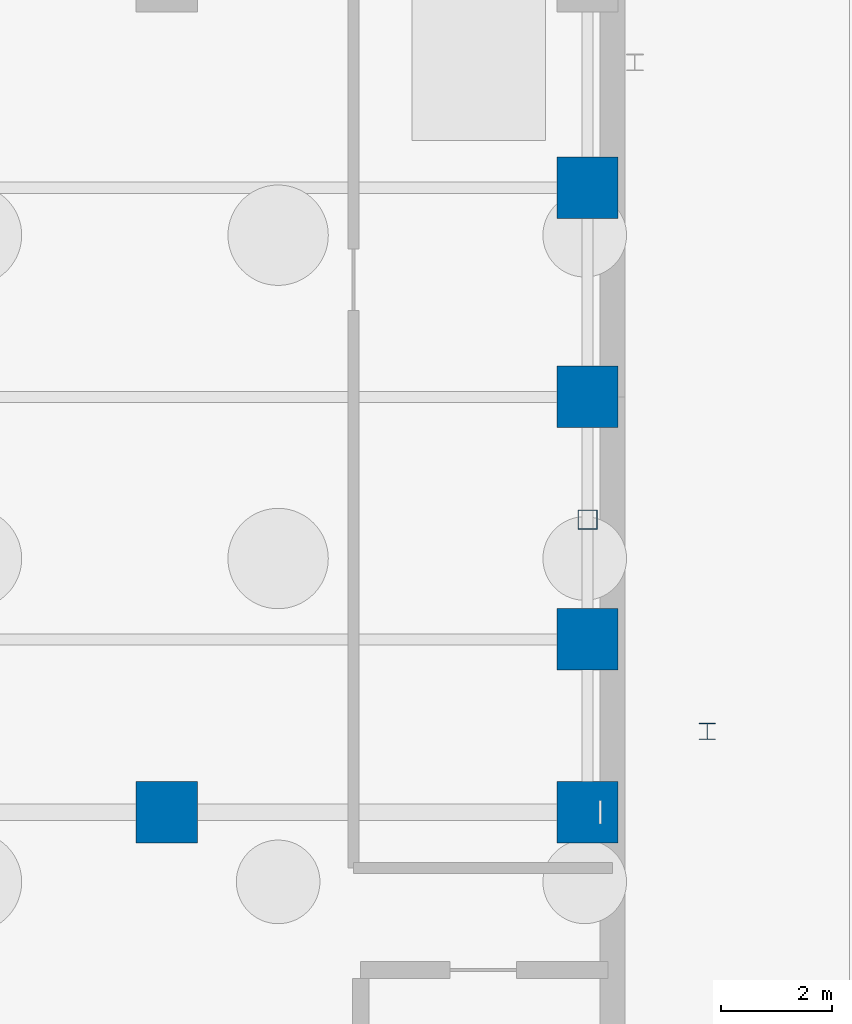
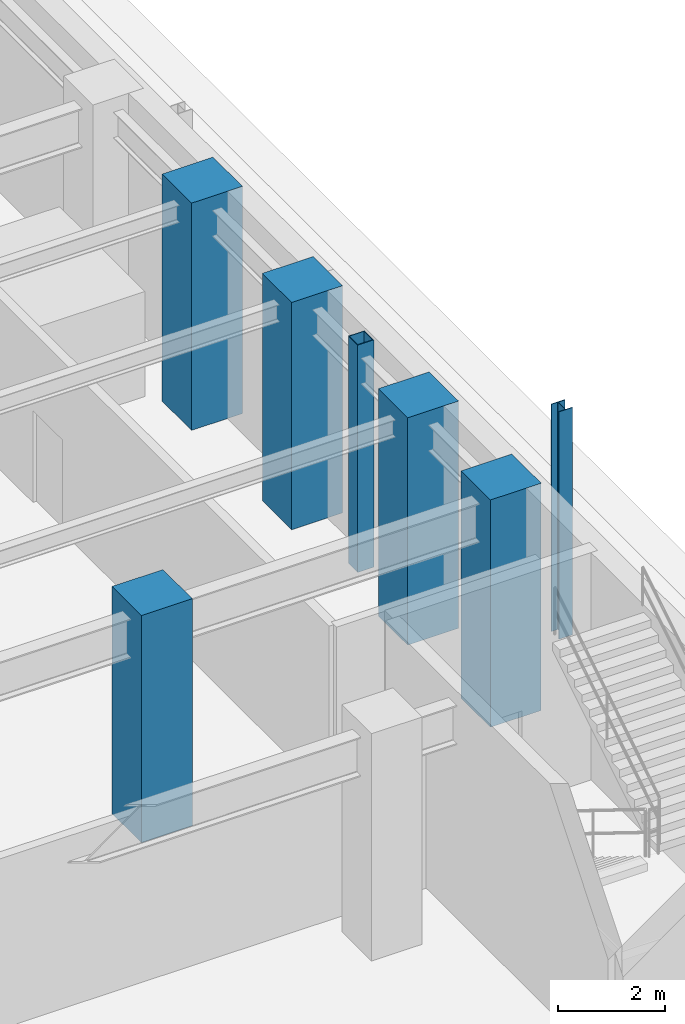
# One storey, part 5 of 18: 7 columns.
"""IFC4 building model written with IfcOpenShell, lengths in metres."""

from ifc_helpers import new_model, si_unit, direction, frame, origin, origin_2d, place, context, subcontext, project, spatial, rectangle, hollow_rectangle, i_section, extrude, material, material_profile, profile_set, type_object, element, save


model = new_model("IFC4")

# Units and contexts
model_context = context("Model", 3, precision=1e-05, world=origin(), true_north=direction((0.0, 1.0)))
body_context = subcontext(model_context, "Body", "Model", "MODEL_VIEW")
ifc_project = project(units=[si_unit("LENGTHUNIT", "METRE"), si_unit("AREAUNIT", "SQUARE_METRE"), si_unit("VOLUMEUNIT", "CUBIC_METRE"), si_unit("PLANEANGLEUNIT", "RADIAN"), si_unit("MASSUNIT", "GRAM", prefix="KILO")], contexts=[model_context])

# Site, building, storey
site_placement = place(None, origin())
site = spatial("IfcSite", under=ifc_project, at=site_placement, CompositionType="ELEMENT")
building_placement = place(site_placement, origin())
building = spatial("IfcBuilding", under=site, at=building_placement, Name="Veldorina Hangang Commons", CompositionType="ELEMENT")
storey_placement = place(building_placement, frame((0.0, 0.0, -10.39990234375)))
storey = spatial("IfcBuildingStorey", under=building, at=storey_placement, Name="B02", CompositionType="ELEMENT", Elevation=-10.39990234375)

# Columns
ifc_material_1 = material(Name="Steel SM355-TMC", Category="steel")
ifc_material_profile_1 = material_profile(ifc_material_1, i_section(OverallWidth=0.300048828125, OverallDepth=0.300048828125, WebThickness=0.010009765625, FlangeThickness=0.014892578125, FilletRadius=0.012939453125, at=origin_2d()), Name="H-300x300x10x15")
ifc_profile_set_1 = profile_set([ifc_material_profile_1], Name="Steel SM355-TMC")
column_type_1 = type_object("IfcColumnType", Name="COL-H300", PredefinedType="COLUMN", material=ifc_profile_set_1)
column_1_placement = place(storey_placement, frame((61.699951171875, 18.0, 0.0), z_axis=(0.0, 0.0, 1.0), x_axis=(1.0, 0.0, 0.0)))
element("IfcColumn", 1, at=column_1_placement, inside=storey, type_object=column_type_1, Name="B02 walkway support pier EAST1", PredefinedType="COLUMN", context=body_context, shape_type="SweptSolid", body=[
    extrude(i_section(OverallWidth=0.300048828125, OverallDepth=0.300048828125, WebThickness=0.010009765625, FlangeThickness=0.014892578125, FilletRadius=0.012939453125, at=origin_2d()), origin(), (0.0, 0.0, 1.0), 5.199951171875),
])
ifc_material_profile_2 = material_profile(ifc_material_1, hollow_rectangle(XDim=0.35009765625, YDim=0.35009765625, WallThickness=0.01611328125, at=origin_2d()), Name="SHS-350x350x16")
ifc_profile_set_2 = profile_set([ifc_material_profile_2], Name="Steel SM355-TMC")
column_type_2 = type_object("IfcColumnType", Name="COL-PIL-350", PredefinedType="PILASTER", material=ifc_profile_set_2)
column_2_placement = place(storey_placement, frame((59.550048828125, 21.800048828125, 0.0), z_axis=(0.0, 0.0, 1.0), x_axis=(1.0, 0.0, 0.0)))
element("IfcColumn", 2, at=column_2_placement, inside=storey, type_object=column_type_2, Name="B02 rationalist colonnade pilaster 4", PredefinedType="PILASTER", context=body_context, shape_type="SweptSolid", body=[
    extrude(hollow_rectangle(XDim=0.35009765625, YDim=0.35009765625, WallThickness=0.01611328125, at=origin_2d()), origin(), (0.0, 0.0, 1.0), 5.199951171875),
])
ifc_material_2 = material(Name="Concrete C60/75", Category="concrete")
ifc_material_profile_3 = material_profile(ifc_material_2, rectangle(XDim=1.10009765625, YDim=1.10009765625, at=origin_2d()), Name="RC-COL-1100x1100")
ifc_profile_set_3 = profile_set([ifc_material_profile_3], Name="Concrete C60/75")
column_type_3 = type_object("IfcColumnType", Name="COL-RC1100", PredefinedType="COLUMN", material=ifc_profile_set_3)
for number, where, z_axis, x_axis, name in (
    (3, (59.550048828125, 16.550048828125, 0.0), (0.0, 0.0, 1.0), (1.0, 0.0, 0.0), "B02 structural column E1"),
    (4, (59.550048828125, 19.64990234375, 0.0), (0.0, 0.0, 1.0), (1.0, 0.0, 0.0), "B02 structural column E2"),
    (5, (59.550048828125, 24.0, 0.0), (0.0, 0.0, 1.0), (1.0, 0.0, 0.0), "B02 structural column E3"),
    (6, (59.550048828125, 27.75, 0.0), (0.0, 0.0, 1.0), (1.0, 0.0, 0.0), "B02 structural column E4"),
    (7, (52.0, 16.550048828125, 0.0), (0.0, 0.0, 1.0), (1.0, 0.0, 0.0), "B02 structural column BM3"),
):
    element("IfcColumn", number, at=place(storey_placement, frame(where, z_axis=z_axis, x_axis=x_axis)), inside=storey, type_object=column_type_3, Name=name, PredefinedType="COLUMN", context=body_context, shape_type="SweptSolid", body=[
        extrude(rectangle(XDim=1.10009765625, YDim=1.10009765625, at=origin_2d()), origin(), (0.0, 0.0, 1.0), 5.199951171875),
    ])

save(model, "model.ifc")
